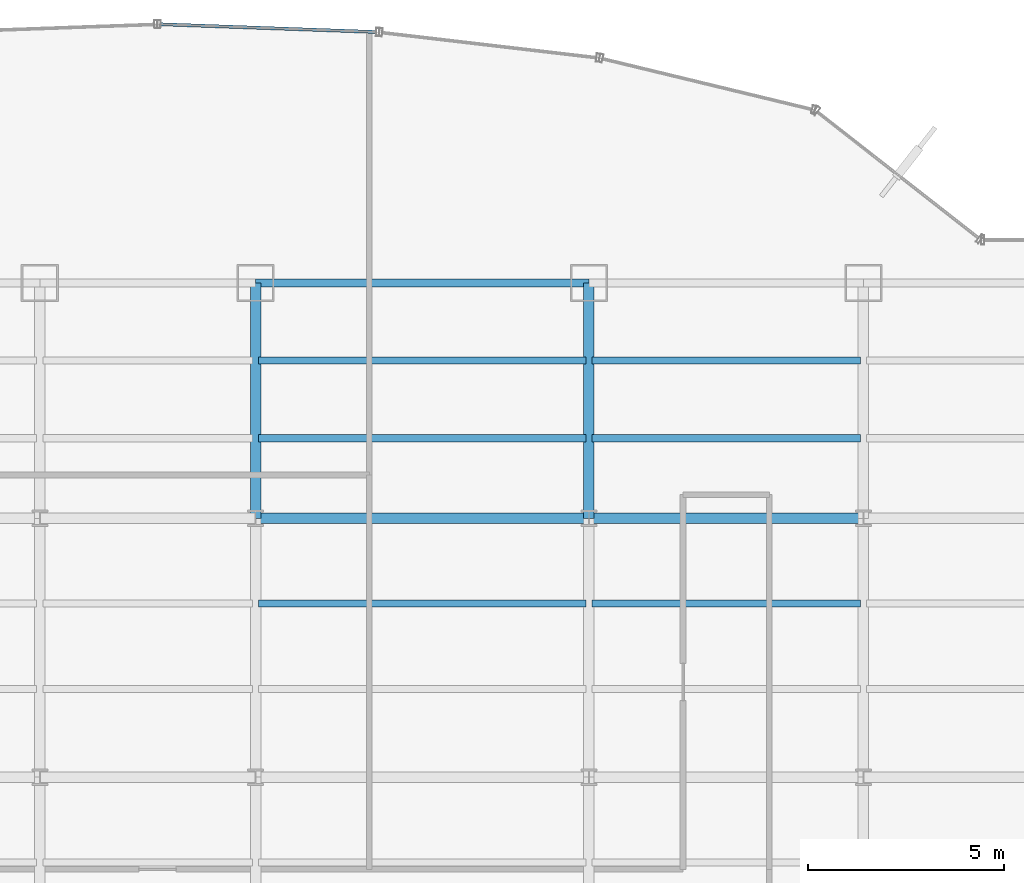
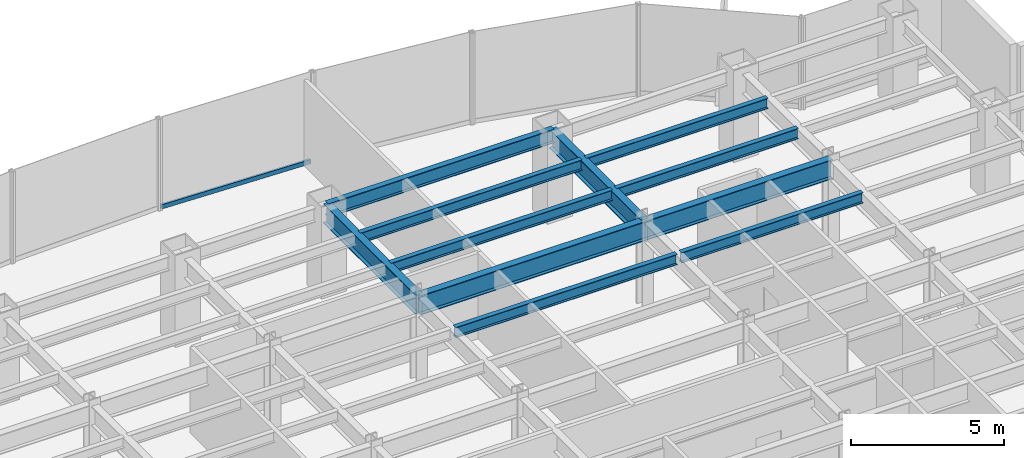
# One storey, part 14 of 23: 11 beams, 1 member, 1 element without a shape of its own.
"""IFC4 building model written with IfcOpenShell, lengths in metres."""

from ifc_helpers import new_model, si_unit, derived_unit, direction, frame, origin, origin_2d, place, context, subcontext, project, spatial, hollow_rectangle, i_section, extrude, source, transform, mapped, material, material_profile, profile_set, type_object, element, aggregate, save


model = new_model("IFC4")

# Units and contexts
model_context = context("Model", 3, precision=1e-05, world=origin(), true_north=direction((0.0, 1.0)))
body_context = subcontext(model_context, "Body", "Model", "MODEL_VIEW")
ifc_project = project(units=[si_unit("LENGTHUNIT", "METRE"), si_unit("AREAUNIT", "SQUARE_METRE"), si_unit("VOLUMEUNIT", "CUBIC_METRE"), si_unit("PLANEANGLEUNIT", "RADIAN"), si_unit("MASSUNIT", "GRAM", prefix="KILO"), derived_unit("THERMALTRANSMITTANCEUNIT", [(si_unit("POWERUNIT", "WATT"), 1), (si_unit("LENGTHUNIT", "METRE"), -2), (si_unit("THERMODYNAMICTEMPERATUREUNIT", "KELVIN"), -1)])], contexts=[model_context])

# Site, building, storey
site_placement = place(None, origin())
site = spatial("IfcSite", under=ifc_project, at=site_placement, CompositionType="ELEMENT")
building_placement = place(site_placement, origin())
building = spatial("IfcBuilding", under=site, at=building_placement, Name="Skarnbrae Concourse Arena and Tower", CompositionType="ELEMENT")
storey_placement = place(building_placement, frame((0.0, 0.0, 50.75)))
storey = spatial("IfcBuildingStorey", under=building, at=storey_placement, Name="L11", CompositionType="ELEMENT", Elevation=50.75)

# Beams
ifc_material_1 = material(Name="Steel CSA G40.21 350W", Category="steel")
ifc_material_profile_1 = material_profile(ifc_material_1, i_section(OverallWidth=0.26806640625, OverallDepth=0.77001953125, WebThickness=0.015625, FlangeThickness=0.025390625, at=origin_2d()), Name="W760X196")
ifc_profile_set_1 = profile_set([ifc_material_profile_1], Name="Steel CSA G40.21 350W")
beam_type_1 = type_object("IfcBeamType", Name="BM-GIRD-W760X196", PredefinedType="BEAM", material=ifc_profile_set_1)
shared_shape_1 = source(origin(), body_context, "Body", "SweptSolid", [
    extrude(i_section(OverallWidth=0.26806640625, OverallDepth=0.77001953125, WebThickness=0.015625, FlangeThickness=0.025390625, at=origin_2d()), origin(), (0.0, 0.0, 1.0), 7.0),
])
beam_1_placement = place(storey_placement, frame((42.0, 34.39990234375, 3.014892578125), z_axis=(1.0, 0.0, 0.0), x_axis=(0.0, 1.0, 0.0)))
element("IfcBeam", 1, at=beam_1_placement, inside=storey, type_object=beam_type_1, Name="L11 Primary E-W girder Y34.4-7", PredefinedType="BEAM", context=body_context, shape_type="MappedRepresentation", body=[
    mapped(shared_shape_1, transform((0.0, 0.0, 0.0))),
])
shared_shape_2 = source(origin(), body_context, "Body", "SweptSolid", [
    extrude(i_section(OverallWidth=0.26806640625, OverallDepth=0.77001953125, WebThickness=0.015625, FlangeThickness=0.025390625, at=origin_2d()), origin(), (0.0, 0.0, 1.0), 8.5),
])
beam_2_placement = place(storey_placement, frame((33.5, 34.39990234375, 3.014892578125), z_axis=(1.0, 0.0, 0.0), x_axis=(0.0, 1.0, 0.0)))
element("IfcBeam", 2, at=beam_2_placement, inside=storey, type_object=beam_type_1, Name="L11 Primary E-W girder Y34.4-6", PredefinedType="BEAM", context=body_context, shape_type="MappedRepresentation", body=[
    mapped(shared_shape_2, transform((0.0, 0.0, 0.0))),
])
shared_shape_3 = source(origin(), body_context, "Body", "SweptSolid", [
    extrude(i_section(OverallWidth=0.26806640625, OverallDepth=0.77001953125, WebThickness=0.015625, FlangeThickness=0.025390625, at=origin_2d()), origin(), (0.0, 0.0, 1.0), 6.0),
])
for number, where, z_axis, x_axis, name in (
    (3, (33.5, 34.39990234375, 3.014892578125), (0.0, 1.0, 0.0), (-1.0, 0.0, 0.0), "L11 Primary N-S girder X33.5-4"),
    (4, (42.0, 34.39990234375, 3.014892578125), (0.0, 1.0, 0.0), (-1.0, 0.0, 0.0), "L11 Primary N-S girder X42.0-5"),
):
    element("IfcBeam", number, at=place(storey_placement, frame(where, z_axis=z_axis, x_axis=x_axis)), inside=storey, type_object=beam_type_1, Name=name, PredefinedType="BEAM", context=body_context, shape_type="MappedRepresentation", body=[
        mapped(shared_shape_3, transform((0.0, 0.0, 0.0))),
    ])
ifc_material_profile_2 = material_profile(ifc_material_1, i_section(OverallWidth=0.214111328125, OverallDepth=0.549072265625, WebThickness=0.0146484375, FlangeThickness=0.023681640625, at=origin_2d()), Name="W530X138")
ifc_profile_set_2 = profile_set([ifc_material_profile_2], Name="Steel CSA G40.21 350W")
beam_type_2 = type_object("IfcBeamType", Name="BM-SPAN-W530X138", PredefinedType="SPANDREL", material=ifc_profile_set_2)
shared_shape_4 = source(origin(), body_context, "Body", "SweptSolid", [
    extrude(i_section(OverallWidth=0.214111328125, OverallDepth=0.549072265625, WebThickness=0.0146484375, FlangeThickness=0.023681640625, at=origin_2d()), origin(), (0.0, 0.0, 1.0), 8.5),
])
beam_3_placement = place(storey_placement, frame((33.5, 40.39990234375, 3.12548828125), z_axis=(1.0, 0.0, 0.0), x_axis=(0.0, 1.0, 0.0)))
element("IfcBeam", 5, at=beam_3_placement, inside=storey, type_object=beam_type_2, Name="L11 Perimeter spandrel Y40.4-5", PredefinedType="SPANDREL", context=body_context, shape_type="MappedRepresentation", body=[
    mapped(shared_shape_4, transform((0.0, 0.0, 0.0))),
])
ifc_material_profile_3 = material_profile(ifc_material_1, i_section(OverallWidth=0.180908203125, OverallDepth=0.4169921875, WebThickness=0.010986328125, FlangeThickness=0.018310546875, at=origin_2d()), Name="W410X85")
ifc_profile_set_3 = profile_set([ifc_material_profile_3], Name="Steel CSA G40.21 350W")
beam_type_3 = type_object("IfcBeamType", Name="BM-JOIST-W410X85", PredefinedType="JOIST", material=ifc_profile_set_3)
shared_shape_5 = source(origin(), body_context, "Body", "SweptSolid", [
    extrude(i_section(OverallWidth=0.180908203125, OverallDepth=0.4169921875, WebThickness=0.010986328125, FlangeThickness=0.018310546875, at=origin_2d()), origin(), (0.0, 0.0, 1.0), 8.33984375),
])
for number, where, z_axis, x_axis, name in (
    (6, (33.580078125, 32.221923828125, 3.19140625), (1.0, 0.0, 0.0), (0.0, 1.0, 0.0), "L11 Secondary floor joist 3.2.6"),
    (7, (33.580078125, 36.43994140625, 3.19140625), (1.0, 0.0, 0.0), (0.0, 1.0, 0.0), "L11 Secondary floor joist 4.1.5"),
    (8, (33.580078125, 38.419921875, 3.19140625), (1.0, 0.0, 0.0), (0.0, 1.0, 0.0), "L11 Secondary floor joist 4.2.5"),
):
    element("IfcBeam", number, at=place(storey_placement, frame(where, z_axis=z_axis, x_axis=x_axis)), inside=storey, type_object=beam_type_3, Name=name, PredefinedType="JOIST", context=body_context, shape_type="MappedRepresentation", body=[
        mapped(shared_shape_5, transform((0.0, 0.0, 0.0))),
    ])
shared_shape_6 = source(origin(), body_context, "Body", "SweptSolid", [
    extrude(i_section(OverallWidth=0.180908203125, OverallDepth=0.4169921875, WebThickness=0.010986328125, FlangeThickness=0.018310546875, at=origin_2d()), origin(), (0.0, 0.0, 1.0), 6.83984375),
])
for number, where, z_axis, x_axis, name in (
    (9, (42.080078125, 32.221923828125, 3.19140625), (1.0, 0.0, 0.0), (0.0, 1.0, 0.0), "L11 Secondary floor joist 3.2.7"),
    (10, (42.080078125, 36.43994140625, 3.19140625), (1.0, 0.0, 0.0), (0.0, 1.0, 0.0), "L11 Secondary floor joist 4.1.6"),
    (11, (42.080078125, 38.419921875, 3.19140625), (1.0, 0.0, 0.0), (0.0, 1.0, 0.0), "L11 Secondary floor joist 4.2.6"),
):
    element("IfcBeam", number, at=place(storey_placement, frame(where, z_axis=z_axis, x_axis=x_axis)), inside=storey, type_object=beam_type_3, Name=name, PredefinedType="JOIST", context=body_context, shape_type="MappedRepresentation", body=[
        mapped(shared_shape_6, transform((0.0, 0.0, 0.0))),
    ])

# Curtain wall, member
ifc_material_2 = material(Name="Bronze anodised aluminium 6063-T6", Category="aluminium")
curtain_wall_type = type_object("IfcCurtainWallType", Name="CW-SYS-03-PORTAL", PredefinedType="USERDEFINED", material=ifc_material_2)
curtain_wall_placement = place(storey_placement, origin())
curtain_wall = element("IfcCurtainWall", 12, at=curtain_wall_placement, inside=storey, type_object=curtain_wall_type, Name="L11 Unitised curtain wall CW-L11-E11", ObjectType="UNITISED CURTAIN WALL", PredefinedType="USERDEFINED")
ifc_material_profile_4 = material_profile(ifc_material_2, hollow_rectangle(XDim=0.080078125, YDim=0.169921875, WallThickness=0.00439453125, at=origin_2d()), Name="ALU-TRAN-80X170")
ifc_profile_set_4 = profile_set([ifc_material_profile_4], Name="Bronze anodised aluminium 6063-T6")
member_type = type_object("IfcMemberType", Name="CWT-CW-03", PredefinedType="USERDEFINED", material=ifc_profile_set_4)
shared_shape_7 = source(origin(), body_context, "Body", "SweptSolid", [
    extrude(hollow_rectangle(XDim=0.080078125, YDim=0.169921875, WallThickness=0.00439453125, at=origin_2d()), origin(), (0.0, 0.0, 1.0), 5.497802734375),
])
member_placement = place(storey_placement, frame((36.573974609375, 46.7998046875, 0.0849609375), z_axis=(-0.999356047798, 0.03588160712, 0.0), x_axis=(-0.03588160712, -0.999356047798, 0.0)))
member = element("IfcMember", 13, at=member_placement, type_object=member_type, Name="CW-L11-E11 Transom 1", ObjectType="TRANSOM", PredefinedType="USERDEFINED", context=body_context, shape_type="MappedRepresentation", body=[
    mapped(shared_shape_7, transform((0.0, 0.0, 0.0))),
])
aggregate(curtain_wall, [member])

save(model, "model.ifc")
